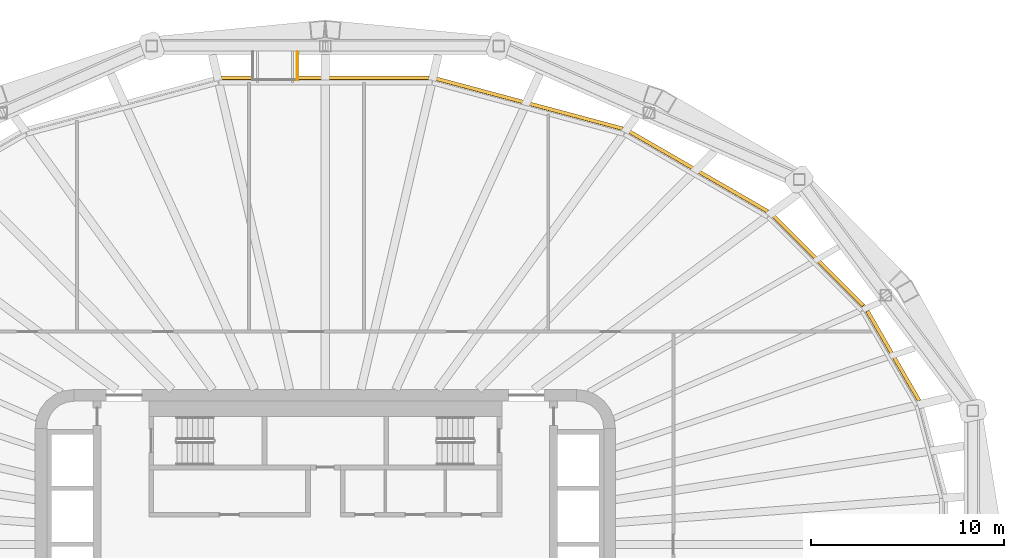
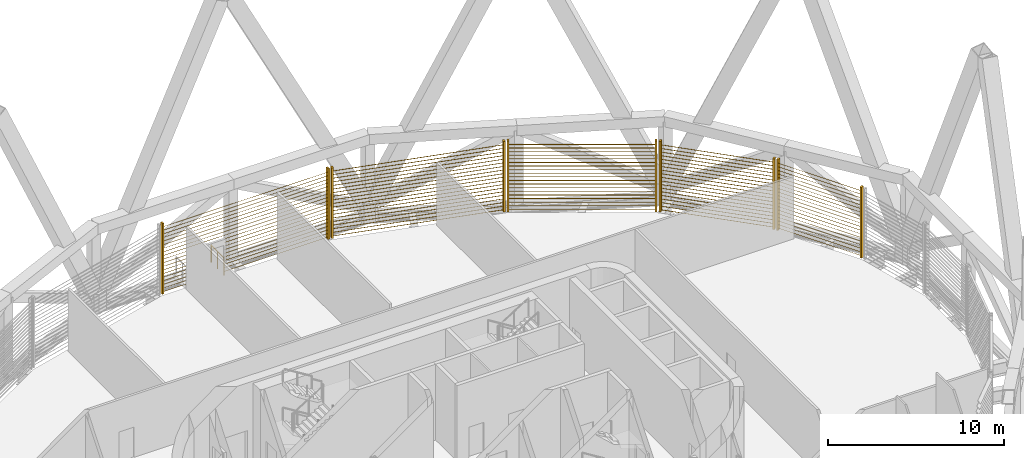
# One storey, part 17 of 18: 5 shading devices, 1 railing.
"""IFC4 building model written with IfcOpenShell, lengths in metres."""

from ifc_helpers import new_model, si_unit, direction, frame, origin, origin_2d, place, context, subcontext, project, spatial, rectangle, circle, extrude, material, type_object, element, save


model = new_model("IFC4")

# Units and contexts
model_context = context("Model", 3, precision=1e-05, world=origin(), true_north=direction((0.0, 1.0)))
body_context = subcontext(model_context, "Body", "Model", "MODEL_VIEW")
ifc_project = project(units=[si_unit("LENGTHUNIT", "METRE"), si_unit("AREAUNIT", "SQUARE_METRE"), si_unit("VOLUMEUNIT", "CUBIC_METRE"), si_unit("PLANEANGLEUNIT", "RADIAN"), si_unit("MASSUNIT", "GRAM", prefix="KILO")], contexts=[model_context])

# Site, building, storey
site_placement = place(None, origin())
site = spatial("IfcSite", under=ifc_project, at=site_placement, CompositionType="ELEMENT")
building_placement = place(site_placement, origin())
building = spatial("IfcBuilding", under=site, at=building_placement, Name="Sahrelin Media Tower", CompositionType="ELEMENT")
storey_placement = place(building_placement, frame((0.0, 0.0, 96.60009765625)))
storey = spatial("IfcBuildingStorey", under=building, at=storey_placement, Name="L18", CompositionType="ELEMENT", Elevation=96.60009765625)

# Railing
ifc_material_1 = material(Name="Stainless steel 316", Category="steel")
railing_type = type_object("IfcRailingType", Name="Maintenance platform guard", PredefinedType="GUARDRAIL", material=ifc_material_1)
railing_placement = place(storey_placement, frame((-1.449951171875, 24.01611328125, 0.0)))
element("IfcRailing", 1, at=railing_placement, inside=storey, type_object=railing_type, Name="Maintenance platform guard L18-06-A", PredefinedType="GUARDRAIL", context=body_context, shape_type="SweptSolid", body=[
    extrude(circle(Radius=0.02392578125, at=origin_2d()), frame((0.0, 0.0, 1.17578125), z_axis=(0.0, 1.0, 0.0), x_axis=(-1.0, 0.0, 0.0)), (0.0, 0.0, 1.0), 1.445068359375),
    extrude(circle(Radius=0.02099609375, at=origin_2d()), origin(), (0.0, 0.0, 1.0), 1.15185546875),
    extrude(circle(Radius=0.02099609375, at=origin_2d()), frame((0.0, 0.72265625, 0.0)), (0.0, 0.0, 1.0), 1.15185546875),
    extrude(circle(Radius=0.02099609375, at=origin_2d()), frame((0.0, 1.445068359375, 0.0)), (0.0, 0.0, 1.0), 1.15185546875),
])

# Shading devices
ifc_material_2 = material(Name="Champagne anodised aluminium 6063-T6", Category="aluminium")
shading_device_type = type_object("IfcShadingDeviceType", Name="Sand-rejection louvre band", PredefinedType="USERDEFINED", material=ifc_material_2)
shading_device_1_placement = place(storey_placement, frame((29.27783203125, 9.686279296875, 0.0), z_axis=(0.0, 0.0, 1.0), x_axis=(0.500011000363, -0.866019052629, 0.0)))
element("IfcShadingDevice", 2, at=shading_device_1_placement, inside=storey, type_object=shading_device_type, Name="L18:LOUVRE:L18-02", ObjectType="LOUVRE", PredefinedType="USERDEFINED", context=body_context, shape_type="SweptSolid", body=[
    extrude(rectangle(XDim=0.1201171875, YDim=0.199951171875, at=origin_2d()), frame((2.7353515625, 0.10009765625, 0.050048828125), z_axis=(0.0, 0.0, 1.0), x_axis=(1.0, 0.0, 0.0)), (0.0, 0.0, 1.0), 4.8984375),
    extrude(rectangle(XDim=0.1201171875, YDim=0.199951171875, at=origin_2d()), frame((-2.7353515625, 0.10009765625, 0.050048828125), z_axis=(0.0, 0.0, 1.0), x_axis=(1.0, 0.0, 0.0)), (0.0, 0.0, 1.0), 4.8984375),
    extrude(rectangle(XDim=0.25, YDim=0.02001953125, at=origin_2d()), frame((2.67529296875, 0.10009765625, 0.14990234375), z_axis=(-1.0, 0.0, 0.0), x_axis=(0.0, -0.766044443119, 0.642787609687)), (0.0, 0.0, 1.0), 5.3505859375),
    extrude(rectangle(XDim=0.25, YDim=0.02001953125, at=origin_2d()), frame((2.67529296875, 0.10009765625, 0.39990234375), z_axis=(-1.0, 0.0, 0.0), x_axis=(0.0, -0.766044443119, 0.642787609687)), (0.0, 0.0, 1.0), 5.3505859375),
    extrude(rectangle(XDim=0.25, YDim=0.02001953125, at=origin_2d()), frame((2.67529296875, 0.10009765625, 0.64990234375), z_axis=(-1.0, 0.0, 0.0), x_axis=(0.0, -0.766044443119, 0.642787609687)), (0.0, 0.0, 1.0), 5.3505859375),
    extrude(rectangle(XDim=0.25, YDim=0.02001953125, at=origin_2d()), frame((2.67529296875, 0.10009765625, 0.89990234375), z_axis=(-1.0, 0.0, 0.0), x_axis=(0.0, -0.766044443119, 0.642787609687)), (0.0, 0.0, 1.0), 5.3505859375),
    extrude(rectangle(XDim=0.25, YDim=0.02001953125, at=origin_2d()), frame((2.67529296875, 0.10009765625, 1.14990234375), z_axis=(-1.0, 0.0, 0.0), x_axis=(0.0, -0.766044443119, 0.642787609687)), (0.0, 0.0, 1.0), 5.3505859375),
    extrude(rectangle(XDim=0.25, YDim=0.02001953125, at=origin_2d()), frame((2.67529296875, 0.10009765625, 1.39990234375), z_axis=(-1.0, 0.0, 0.0), x_axis=(0.0, -0.766044443119, 0.642787609687)), (0.0, 0.0, 1.0), 5.3505859375),
    extrude(rectangle(XDim=0.25, YDim=0.02001953125, at=origin_2d()), frame((2.67529296875, 0.10009765625, 1.64990234375), z_axis=(-1.0, 0.0, 0.0), x_axis=(0.0, -0.766044443119, 0.642787609687)), (0.0, 0.0, 1.0), 5.3505859375),
    extrude(rectangle(XDim=0.25, YDim=0.02001953125, at=origin_2d()), frame((2.67529296875, 0.10009765625, 1.89990234375), z_axis=(-1.0, 0.0, 0.0), x_axis=(0.0, -0.766044443119, 0.642787609687)), (0.0, 0.0, 1.0), 5.3505859375),
    extrude(rectangle(XDim=0.25, YDim=0.02001953125, at=origin_2d()), frame((2.67529296875, 0.10009765625, 2.14990234375), z_axis=(-1.0, 0.0, 0.0), x_axis=(0.0, -0.766044443119, 0.642787609687)), (0.0, 0.0, 1.0), 5.3505859375),
    extrude(rectangle(XDim=0.25, YDim=0.02001953125, at=origin_2d()), frame((2.67529296875, 0.10009765625, 2.39990234375), z_axis=(-1.0, 0.0, 0.0), x_axis=(0.0, -0.766044443119, 0.642787609687)), (0.0, 0.0, 1.0), 5.3505859375),
    extrude(rectangle(XDim=0.25, YDim=0.02001953125, at=origin_2d()), frame((2.67529296875, 0.10009765625, 2.64990234375), z_axis=(-1.0, 0.0, 0.0), x_axis=(0.0, -0.766044443119, 0.642787609687)), (0.0, 0.0, 1.0), 5.3505859375),
    extrude(rectangle(XDim=0.25, YDim=0.02001953125, at=origin_2d()), frame((2.67529296875, 0.10009765625, 2.89990234375), z_axis=(-1.0, 0.0, 0.0), x_axis=(0.0, -0.766044443119, 0.642787609687)), (0.0, 0.0, 1.0), 5.3505859375),
    extrude(rectangle(XDim=0.25, YDim=0.02001953125, at=origin_2d()), frame((2.67529296875, 0.10009765625, 3.14990234375), z_axis=(-1.0, 0.0, 0.0), x_axis=(0.0, -0.766044443119, 0.642787609687)), (0.0, 0.0, 1.0), 5.3505859375),
    extrude(rectangle(XDim=0.25, YDim=0.02001953125, at=origin_2d()), frame((2.67529296875, 0.10009765625, 3.39990234375), z_axis=(-1.0, 0.0, 0.0), x_axis=(0.0, -0.766044443119, 0.642787609687)), (0.0, 0.0, 1.0), 5.3505859375),
    extrude(rectangle(XDim=0.25, YDim=0.02001953125, at=origin_2d()), frame((2.67529296875, 0.10009765625, 3.64990234375), z_axis=(-1.0, 0.0, 0.0), x_axis=(0.0, -0.766044443119, 0.642787609687)), (0.0, 0.0, 1.0), 5.3505859375),
    extrude(rectangle(XDim=0.25, YDim=0.02001953125, at=origin_2d()), frame((2.67529296875, 0.10009765625, 3.89990234375), z_axis=(-1.0, 0.0, 0.0), x_axis=(0.0, -0.766044443119, 0.642787609687)), (0.0, 0.0, 1.0), 5.3505859375),
    extrude(rectangle(XDim=0.25, YDim=0.02001953125, at=origin_2d()), frame((2.67529296875, 0.10009765625, 4.14990234375), z_axis=(-1.0, 0.0, 0.0), x_axis=(0.0, -0.766044443119, 0.642787609687)), (0.0, 0.0, 1.0), 5.3505859375),
    extrude(rectangle(XDim=0.25, YDim=0.02001953125, at=origin_2d()), frame((2.67529296875, 0.10009765625, 4.39990234375), z_axis=(-1.0, 0.0, 0.0), x_axis=(0.0, -0.766044443119, 0.642787609687)), (0.0, 0.0, 1.0), 5.3505859375),
    extrude(rectangle(XDim=0.25, YDim=0.02001953125, at=origin_2d()), frame((2.67529296875, 0.10009765625, 4.64990234375), z_axis=(-1.0, 0.0, 0.0), x_axis=(0.0, -0.766044443119, 0.642787609687)), (0.0, 0.0, 1.0), 5.3505859375),
])
shading_device_2_placement = place(storey_placement, frame((25.411376953125, 14.594482421875, 0.0), z_axis=(0.0, 0.0, 1.0), x_axis=(0.707106781187, -0.707106781187, 0.0)))
element("IfcShadingDevice", 3, at=shading_device_2_placement, inside=storey, type_object=shading_device_type, Name="L18:LOUVRE:L18-03", ObjectType="LOUVRE", PredefinedType="USERDEFINED", context=body_context, shape_type="SweptSolid", body=[
    extrude(rectangle(XDim=0.1201171875, YDim=0.199951171875, at=origin_2d()), frame((3.34619140625, 0.10009765625, 0.050048828125), z_axis=(0.0, 0.0, 1.0), x_axis=(1.0, 0.0, 0.0)), (0.0, 0.0, 1.0), 4.8984375),
    extrude(rectangle(XDim=0.1201171875, YDim=0.199951171875, at=origin_2d()), frame((-3.34619140625, 0.10009765625, 0.050048828125), z_axis=(0.0, 0.0, 1.0), x_axis=(1.0, 0.0, 0.0)), (0.0, 0.0, 1.0), 4.8984375),
    extrude(rectangle(XDim=0.25, YDim=0.02001953125, at=origin_2d()), frame((3.286376953125, 0.10009765625, 0.14990234375), z_axis=(-1.0, 0.0, 0.0), x_axis=(0.0, -0.766044443119, 0.642787609687)), (0.0, 0.0, 1.0), 6.57275390625),
    extrude(rectangle(XDim=0.25, YDim=0.02001953125, at=origin_2d()), frame((3.286376953125, 0.10009765625, 0.39990234375), z_axis=(-1.0, 0.0, 0.0), x_axis=(0.0, -0.766044443119, 0.642787609687)), (0.0, 0.0, 1.0), 6.57275390625),
    extrude(rectangle(XDim=0.25, YDim=0.02001953125, at=origin_2d()), frame((3.286376953125, 0.10009765625, 0.64990234375), z_axis=(-1.0, 0.0, 0.0), x_axis=(0.0, -0.766044443119, 0.642787609687)), (0.0, 0.0, 1.0), 6.57275390625),
    extrude(rectangle(XDim=0.25, YDim=0.02001953125, at=origin_2d()), frame((3.286376953125, 0.10009765625, 0.89990234375), z_axis=(-1.0, 0.0, 0.0), x_axis=(0.0, -0.766044443119, 0.642787609687)), (0.0, 0.0, 1.0), 6.57275390625),
    extrude(rectangle(XDim=0.25, YDim=0.02001953125, at=origin_2d()), frame((3.286376953125, 0.10009765625, 1.14990234375), z_axis=(-1.0, 0.0, 0.0), x_axis=(0.0, -0.766044443119, 0.642787609687)), (0.0, 0.0, 1.0), 6.57275390625),
    extrude(rectangle(XDim=0.25, YDim=0.02001953125, at=origin_2d()), frame((3.286376953125, 0.10009765625, 1.39990234375), z_axis=(-1.0, 0.0, 0.0), x_axis=(0.0, -0.766044443119, 0.642787609687)), (0.0, 0.0, 1.0), 6.57275390625),
    extrude(rectangle(XDim=0.25, YDim=0.02001953125, at=origin_2d()), frame((3.286376953125, 0.10009765625, 1.64990234375), z_axis=(-1.0, 0.0, 0.0), x_axis=(0.0, -0.766044443119, 0.642787609687)), (0.0, 0.0, 1.0), 6.57275390625),
    extrude(rectangle(XDim=0.25, YDim=0.02001953125, at=origin_2d()), frame((3.286376953125, 0.10009765625, 1.89990234375), z_axis=(-1.0, 0.0, 0.0), x_axis=(0.0, -0.766044443119, 0.642787609687)), (0.0, 0.0, 1.0), 6.57275390625),
    extrude(rectangle(XDim=0.25, YDim=0.02001953125, at=origin_2d()), frame((3.286376953125, 0.10009765625, 2.14990234375), z_axis=(-1.0, 0.0, 0.0), x_axis=(0.0, -0.766044443119, 0.642787609687)), (0.0, 0.0, 1.0), 6.57275390625),
    extrude(rectangle(XDim=0.25, YDim=0.02001953125, at=origin_2d()), frame((3.286376953125, 0.10009765625, 2.39990234375), z_axis=(-1.0, 0.0, 0.0), x_axis=(0.0, -0.766044443119, 0.642787609687)), (0.0, 0.0, 1.0), 6.57275390625),
    extrude(rectangle(XDim=0.25, YDim=0.02001953125, at=origin_2d()), frame((3.286376953125, 0.10009765625, 2.64990234375), z_axis=(-1.0, 0.0, 0.0), x_axis=(0.0, -0.766044443119, 0.642787609687)), (0.0, 0.0, 1.0), 6.57275390625),
    extrude(rectangle(XDim=0.25, YDim=0.02001953125, at=origin_2d()), frame((3.286376953125, 0.10009765625, 2.89990234375), z_axis=(-1.0, 0.0, 0.0), x_axis=(0.0, -0.766044443119, 0.642787609687)), (0.0, 0.0, 1.0), 6.57275390625),
    extrude(rectangle(XDim=0.25, YDim=0.02001953125, at=origin_2d()), frame((3.286376953125, 0.10009765625, 3.14990234375), z_axis=(-1.0, 0.0, 0.0), x_axis=(0.0, -0.766044443119, 0.642787609687)), (0.0, 0.0, 1.0), 6.57275390625),
    extrude(rectangle(XDim=0.25, YDim=0.02001953125, at=origin_2d()), frame((3.286376953125, 0.10009765625, 3.39990234375), z_axis=(-1.0, 0.0, 0.0), x_axis=(0.0, -0.766044443119, 0.642787609687)), (0.0, 0.0, 1.0), 6.57275390625),
    extrude(rectangle(XDim=0.25, YDim=0.02001953125, at=origin_2d()), frame((3.286376953125, 0.10009765625, 3.64990234375), z_axis=(-1.0, 0.0, 0.0), x_axis=(0.0, -0.766044443119, 0.642787609687)), (0.0, 0.0, 1.0), 6.57275390625),
    extrude(rectangle(XDim=0.25, YDim=0.02001953125, at=origin_2d()), frame((3.286376953125, 0.10009765625, 3.89990234375), z_axis=(-1.0, 0.0, 0.0), x_axis=(0.0, -0.766044443119, 0.642787609687)), (0.0, 0.0, 1.0), 6.57275390625),
    extrude(rectangle(XDim=0.25, YDim=0.02001953125, at=origin_2d()), frame((3.286376953125, 0.10009765625, 4.14990234375), z_axis=(-1.0, 0.0, 0.0), x_axis=(0.0, -0.766044443119, 0.642787609687)), (0.0, 0.0, 1.0), 6.57275390625),
    extrude(rectangle(XDim=0.25, YDim=0.02001953125, at=origin_2d()), frame((3.286376953125, 0.10009765625, 4.39990234375), z_axis=(-1.0, 0.0, 0.0), x_axis=(0.0, -0.766044443119, 0.642787609687)), (0.0, 0.0, 1.0), 6.57275390625),
    extrude(rectangle(XDim=0.25, YDim=0.02001953125, at=origin_2d()), frame((3.286376953125, 0.10009765625, 4.64990234375), z_axis=(-1.0, 0.0, 0.0), x_axis=(0.0, -0.766044443119, 0.642787609687)), (0.0, 0.0, 1.0), 6.57275390625),
])
shading_device_3_placement = place(storey_placement, frame((19.237548828125, 19.191650390625, 0.0), z_axis=(0.0, 0.0, 1.0), x_axis=(0.866019052629, -0.500011000363, 0.0)))
element("IfcShadingDevice", 4, at=shading_device_3_placement, inside=storey, type_object=shading_device_type, Name="L18:LOUVRE:L18-04", ObjectType="LOUVRE", PredefinedType="USERDEFINED", context=body_context, shape_type="SweptSolid", body=[
    extrude(rectangle(XDim=0.1201171875, YDim=0.199951171875, at=origin_2d()), frame((4.19677734375, 0.10009765625, 0.050048828125), z_axis=(0.0, 0.0, 1.0), x_axis=(1.0, 0.0, 0.0)), (0.0, 0.0, 1.0), 4.8984375),
    extrude(rectangle(XDim=0.1201171875, YDim=0.199951171875, at=origin_2d()), frame((-4.19677734375, 0.10009765625, 0.050048828125), z_axis=(0.0, 0.0, 1.0), x_axis=(1.0, 0.0, 0.0)), (0.0, 0.0, 1.0), 4.8984375),
    extrude(rectangle(XDim=0.25, YDim=0.02001953125, at=origin_2d()), frame((4.13671875, 0.10009765625, 0.14990234375), z_axis=(-1.0, 0.0, 0.0), x_axis=(0.0, -0.766044443119, 0.642787609687)), (0.0, 0.0, 1.0), 8.2734375),
    extrude(rectangle(XDim=0.25, YDim=0.02001953125, at=origin_2d()), frame((4.13671875, 0.10009765625, 0.39990234375), z_axis=(-1.0, 0.0, 0.0), x_axis=(0.0, -0.766044443119, 0.642787609687)), (0.0, 0.0, 1.0), 8.2734375),
    extrude(rectangle(XDim=0.25, YDim=0.02001953125, at=origin_2d()), frame((4.13671875, 0.10009765625, 0.64990234375), z_axis=(-1.0, 0.0, 0.0), x_axis=(0.0, -0.766044443119, 0.642787609687)), (0.0, 0.0, 1.0), 8.2734375),
    extrude(rectangle(XDim=0.25, YDim=0.02001953125, at=origin_2d()), frame((4.13671875, 0.10009765625, 0.89990234375), z_axis=(-1.0, 0.0, 0.0), x_axis=(0.0, -0.766044443119, 0.642787609687)), (0.0, 0.0, 1.0), 8.2734375),
    extrude(rectangle(XDim=0.25, YDim=0.02001953125, at=origin_2d()), frame((4.13671875, 0.10009765625, 1.14990234375), z_axis=(-1.0, 0.0, 0.0), x_axis=(0.0, -0.766044443119, 0.642787609687)), (0.0, 0.0, 1.0), 8.2734375),
    extrude(rectangle(XDim=0.25, YDim=0.02001953125, at=origin_2d()), frame((4.13671875, 0.10009765625, 1.39990234375), z_axis=(-1.0, 0.0, 0.0), x_axis=(0.0, -0.766044443119, 0.642787609687)), (0.0, 0.0, 1.0), 8.2734375),
    extrude(rectangle(XDim=0.25, YDim=0.02001953125, at=origin_2d()), frame((4.13671875, 0.10009765625, 1.64990234375), z_axis=(-1.0, 0.0, 0.0), x_axis=(0.0, -0.766044443119, 0.642787609687)), (0.0, 0.0, 1.0), 8.2734375),
    extrude(rectangle(XDim=0.25, YDim=0.02001953125, at=origin_2d()), frame((4.13671875, 0.10009765625, 1.89990234375), z_axis=(-1.0, 0.0, 0.0), x_axis=(0.0, -0.766044443119, 0.642787609687)), (0.0, 0.0, 1.0), 8.2734375),
    extrude(rectangle(XDim=0.25, YDim=0.02001953125, at=origin_2d()), frame((4.13671875, 0.10009765625, 2.14990234375), z_axis=(-1.0, 0.0, 0.0), x_axis=(0.0, -0.766044443119, 0.642787609687)), (0.0, 0.0, 1.0), 8.2734375),
    extrude(rectangle(XDim=0.25, YDim=0.02001953125, at=origin_2d()), frame((4.13671875, 0.10009765625, 2.39990234375), z_axis=(-1.0, 0.0, 0.0), x_axis=(0.0, -0.766044443119, 0.642787609687)), (0.0, 0.0, 1.0), 8.2734375),
    extrude(rectangle(XDim=0.25, YDim=0.02001953125, at=origin_2d()), frame((4.13671875, 0.10009765625, 2.64990234375), z_axis=(-1.0, 0.0, 0.0), x_axis=(0.0, -0.766044443119, 0.642787609687)), (0.0, 0.0, 1.0), 8.2734375),
    extrude(rectangle(XDim=0.25, YDim=0.02001953125, at=origin_2d()), frame((4.13671875, 0.10009765625, 2.89990234375), z_axis=(-1.0, 0.0, 0.0), x_axis=(0.0, -0.766044443119, 0.642787609687)), (0.0, 0.0, 1.0), 8.2734375),
    extrude(rectangle(XDim=0.25, YDim=0.02001953125, at=origin_2d()), frame((4.13671875, 0.10009765625, 3.14990234375), z_axis=(-1.0, 0.0, 0.0), x_axis=(0.0, -0.766044443119, 0.642787609687)), (0.0, 0.0, 1.0), 8.2734375),
    extrude(rectangle(XDim=0.25, YDim=0.02001953125, at=origin_2d()), frame((4.13671875, 0.10009765625, 3.39990234375), z_axis=(-1.0, 0.0, 0.0), x_axis=(0.0, -0.766044443119, 0.642787609687)), (0.0, 0.0, 1.0), 8.2734375),
    extrude(rectangle(XDim=0.25, YDim=0.02001953125, at=origin_2d()), frame((4.13671875, 0.10009765625, 3.64990234375), z_axis=(-1.0, 0.0, 0.0), x_axis=(0.0, -0.766044443119, 0.642787609687)), (0.0, 0.0, 1.0), 8.2734375),
    extrude(rectangle(XDim=0.25, YDim=0.02001953125, at=origin_2d()), frame((4.13671875, 0.10009765625, 3.89990234375), z_axis=(-1.0, 0.0, 0.0), x_axis=(0.0, -0.766044443119, 0.642787609687)), (0.0, 0.0, 1.0), 8.2734375),
    extrude(rectangle(XDim=0.25, YDim=0.02001953125, at=origin_2d()), frame((4.13671875, 0.10009765625, 4.14990234375), z_axis=(-1.0, 0.0, 0.0), x_axis=(0.0, -0.766044443119, 0.642787609687)), (0.0, 0.0, 1.0), 8.2734375),
    extrude(rectangle(XDim=0.25, YDim=0.02001953125, at=origin_2d()), frame((4.13671875, 0.10009765625, 4.39990234375), z_axis=(-1.0, 0.0, 0.0), x_axis=(0.0, -0.766044443119, 0.642787609687)), (0.0, 0.0, 1.0), 8.2734375),
    extrude(rectangle(XDim=0.25, YDim=0.02001953125, at=origin_2d()), frame((4.13671875, 0.10009765625, 4.64990234375), z_axis=(-1.0, 0.0, 0.0), x_axis=(0.0, -0.766044443119, 0.642787609687)), (0.0, 0.0, 1.0), 8.2734375),
])
shading_device_4_placement = place(storey_placement, frame((10.523681640625, 22.6806640625, 0.0), z_axis=(0.0, 0.0, 1.0), x_axis=(0.965928857556, -0.258807731996, 0.0)))
element("IfcShadingDevice", 5, at=shading_device_4_placement, inside=storey, type_object=shading_device_type, Name="L18:LOUVRE:L18-05", ObjectType="LOUVRE", PredefinedType="USERDEFINED", context=body_context, shape_type="SweptSolid", body=[
    extrude(rectangle(XDim=0.1201171875, YDim=0.199951171875, at=origin_2d()), frame((5.050048828125, 0.10009765625, 0.050048828125), z_axis=(0.0, 0.0, 1.0), x_axis=(1.0, 0.0, 0.0)), (0.0, 0.0, 1.0), 4.8984375),
    extrude(rectangle(XDim=0.1201171875, YDim=0.199951171875, at=origin_2d()), frame((-5.050048828125, 0.10009765625, 0.050048828125), z_axis=(0.0, 0.0, 1.0), x_axis=(1.0, 0.0, 0.0)), (0.0, 0.0, 1.0), 4.8984375),
    extrude(rectangle(XDim=0.25, YDim=0.02001953125, at=origin_2d()), frame((4.989990234375, 0.10009765625, 0.14990234375), z_axis=(-1.0, 0.0, 0.0), x_axis=(0.0, -0.766044443119, 0.642787609687)), (0.0, 0.0, 1.0), 9.97998046875),
    extrude(rectangle(XDim=0.25, YDim=0.02001953125, at=origin_2d()), frame((4.989990234375, 0.10009765625, 0.39990234375), z_axis=(-1.0, 0.0, 0.0), x_axis=(0.0, -0.766044443119, 0.642787609687)), (0.0, 0.0, 1.0), 9.97998046875),
    extrude(rectangle(XDim=0.25, YDim=0.02001953125, at=origin_2d()), frame((4.989990234375, 0.10009765625, 0.64990234375), z_axis=(-1.0, 0.0, 0.0), x_axis=(0.0, -0.766044443119, 0.642787609687)), (0.0, 0.0, 1.0), 9.97998046875),
    extrude(rectangle(XDim=0.25, YDim=0.02001953125, at=origin_2d()), frame((4.989990234375, 0.10009765625, 0.89990234375), z_axis=(-1.0, 0.0, 0.0), x_axis=(0.0, -0.766044443119, 0.642787609687)), (0.0, 0.0, 1.0), 9.97998046875),
    extrude(rectangle(XDim=0.25, YDim=0.02001953125, at=origin_2d()), frame((4.989990234375, 0.10009765625, 1.14990234375), z_axis=(-1.0, 0.0, 0.0), x_axis=(0.0, -0.766044443119, 0.642787609687)), (0.0, 0.0, 1.0), 9.97998046875),
    extrude(rectangle(XDim=0.25, YDim=0.02001953125, at=origin_2d()), frame((4.989990234375, 0.10009765625, 1.39990234375), z_axis=(-1.0, 0.0, 0.0), x_axis=(0.0, -0.766044443119, 0.642787609687)), (0.0, 0.0, 1.0), 9.97998046875),
    extrude(rectangle(XDim=0.25, YDim=0.02001953125, at=origin_2d()), frame((4.989990234375, 0.10009765625, 1.64990234375), z_axis=(-1.0, 0.0, 0.0), x_axis=(0.0, -0.766044443119, 0.642787609687)), (0.0, 0.0, 1.0), 9.97998046875),
    extrude(rectangle(XDim=0.25, YDim=0.02001953125, at=origin_2d()), frame((4.989990234375, 0.10009765625, 1.89990234375), z_axis=(-1.0, 0.0, 0.0), x_axis=(0.0, -0.766044443119, 0.642787609687)), (0.0, 0.0, 1.0), 9.97998046875),
    extrude(rectangle(XDim=0.25, YDim=0.02001953125, at=origin_2d()), frame((4.989990234375, 0.10009765625, 2.14990234375), z_axis=(-1.0, 0.0, 0.0), x_axis=(0.0, -0.766044443119, 0.642787609687)), (0.0, 0.0, 1.0), 9.97998046875),
    extrude(rectangle(XDim=0.25, YDim=0.02001953125, at=origin_2d()), frame((4.989990234375, 0.10009765625, 2.39990234375), z_axis=(-1.0, 0.0, 0.0), x_axis=(0.0, -0.766044443119, 0.642787609687)), (0.0, 0.0, 1.0), 9.97998046875),
    extrude(rectangle(XDim=0.25, YDim=0.02001953125, at=origin_2d()), frame((4.989990234375, 0.10009765625, 2.64990234375), z_axis=(-1.0, 0.0, 0.0), x_axis=(0.0, -0.766044443119, 0.642787609687)), (0.0, 0.0, 1.0), 9.97998046875),
    extrude(rectangle(XDim=0.25, YDim=0.02001953125, at=origin_2d()), frame((4.989990234375, 0.10009765625, 2.89990234375), z_axis=(-1.0, 0.0, 0.0), x_axis=(0.0, -0.766044443119, 0.642787609687)), (0.0, 0.0, 1.0), 9.97998046875),
    extrude(rectangle(XDim=0.25, YDim=0.02001953125, at=origin_2d()), frame((4.989990234375, 0.10009765625, 3.14990234375), z_axis=(-1.0, 0.0, 0.0), x_axis=(0.0, -0.766044443119, 0.642787609687)), (0.0, 0.0, 1.0), 9.97998046875),
    extrude(rectangle(XDim=0.25, YDim=0.02001953125, at=origin_2d()), frame((4.989990234375, 0.10009765625, 3.39990234375), z_axis=(-1.0, 0.0, 0.0), x_axis=(0.0, -0.766044443119, 0.642787609687)), (0.0, 0.0, 1.0), 9.97998046875),
    extrude(rectangle(XDim=0.25, YDim=0.02001953125, at=origin_2d()), frame((4.989990234375, 0.10009765625, 3.64990234375), z_axis=(-1.0, 0.0, 0.0), x_axis=(0.0, -0.766044443119, 0.642787609687)), (0.0, 0.0, 1.0), 9.97998046875),
    extrude(rectangle(XDim=0.25, YDim=0.02001953125, at=origin_2d()), frame((4.989990234375, 0.10009765625, 3.89990234375), z_axis=(-1.0, 0.0, 0.0), x_axis=(0.0, -0.766044443119, 0.642787609687)), (0.0, 0.0, 1.0), 9.97998046875),
    extrude(rectangle(XDim=0.25, YDim=0.02001953125, at=origin_2d()), frame((4.989990234375, 0.10009765625, 4.14990234375), z_axis=(-1.0, 0.0, 0.0), x_axis=(0.0, -0.766044443119, 0.642787609687)), (0.0, 0.0, 1.0), 9.97998046875),
    extrude(rectangle(XDim=0.25, YDim=0.02001953125, at=origin_2d()), frame((4.989990234375, 0.10009765625, 4.39990234375), z_axis=(-1.0, 0.0, 0.0), x_axis=(0.0, -0.766044443119, 0.642787609687)), (0.0, 0.0, 1.0), 9.97998046875),
    extrude(rectangle(XDim=0.25, YDim=0.02001953125, at=origin_2d()), frame((4.989990234375, 0.10009765625, 4.64990234375), z_axis=(-1.0, 0.0, 0.0), x_axis=(0.0, -0.766044443119, 0.642787609687)), (0.0, 0.0, 1.0), 9.97998046875),
])
shading_device_5_placement = place(storey_placement, frame((0.0, 24.01611328125, 0.0), z_axis=(0.0, 0.0, 1.0), x_axis=(1.0, 0.0, 0.0)))
element("IfcShadingDevice", 6, at=shading_device_5_placement, inside=storey, type_object=shading_device_type, Name="L18:LOUVRE:L18-06", ObjectType="LOUVRE", PredefinedType="USERDEFINED", context=body_context, shape_type="SweptSolid", body=[
    extrude(rectangle(XDim=0.1201171875, YDim=0.199951171875, at=origin_2d()), frame((5.429443359375, 0.10009765625, 0.050048828125), z_axis=(0.0, 0.0, 1.0), x_axis=(1.0, 0.0, 0.0)), (0.0, 0.0, 1.0), 4.8984375),
    extrude(rectangle(XDim=0.1201171875, YDim=0.199951171875, at=origin_2d()), frame((-5.429443359375, 0.10009765625, 0.050048828125), z_axis=(0.0, 0.0, 1.0), x_axis=(1.0, 0.0, 0.0)), (0.0, 0.0, 1.0), 4.8984375),
    extrude(rectangle(XDim=0.25, YDim=0.02001953125, at=origin_2d()), frame((5.369384765625, 0.10009765625, 0.14990234375), z_axis=(-1.0, 0.0, 0.0), x_axis=(0.0, -0.766044443119, 0.642787609687)), (0.0, 0.0, 1.0), 6.66943359375),
    extrude(rectangle(XDim=0.25, YDim=0.02001953125, at=origin_2d()), frame((-3.89990234375, 0.10009765625, 0.14990234375), z_axis=(-1.0, 0.0, 0.0), x_axis=(0.0, -0.766044443119, 0.642787609687)), (0.0, 0.0, 1.0), 1.469482421875),
    extrude(rectangle(XDim=0.25, YDim=0.02001953125, at=origin_2d()), frame((5.369384765625, 0.10009765625, 0.39990234375), z_axis=(-1.0, 0.0, 0.0), x_axis=(0.0, -0.766044443119, 0.642787609687)), (0.0, 0.0, 1.0), 6.66943359375),
    extrude(rectangle(XDim=0.25, YDim=0.02001953125, at=origin_2d()), frame((-3.89990234375, 0.10009765625, 0.39990234375), z_axis=(-1.0, 0.0, 0.0), x_axis=(0.0, -0.766044443119, 0.642787609687)), (0.0, 0.0, 1.0), 1.469482421875),
    extrude(rectangle(XDim=0.25, YDim=0.02001953125, at=origin_2d()), frame((5.369384765625, 0.10009765625, 0.64990234375), z_axis=(-1.0, 0.0, 0.0), x_axis=(0.0, -0.766044443119, 0.642787609687)), (0.0, 0.0, 1.0), 6.66943359375),
    extrude(rectangle(XDim=0.25, YDim=0.02001953125, at=origin_2d()), frame((-3.89990234375, 0.10009765625, 0.64990234375), z_axis=(-1.0, 0.0, 0.0), x_axis=(0.0, -0.766044443119, 0.642787609687)), (0.0, 0.0, 1.0), 1.469482421875),
    extrude(rectangle(XDim=0.25, YDim=0.02001953125, at=origin_2d()), frame((5.369384765625, 0.10009765625, 0.89990234375), z_axis=(-1.0, 0.0, 0.0), x_axis=(0.0, -0.766044443119, 0.642787609687)), (0.0, 0.0, 1.0), 6.66943359375),
    extrude(rectangle(XDim=0.25, YDim=0.02001953125, at=origin_2d()), frame((-3.89990234375, 0.10009765625, 0.89990234375), z_axis=(-1.0, 0.0, 0.0), x_axis=(0.0, -0.766044443119, 0.642787609687)), (0.0, 0.0, 1.0), 1.469482421875),
    extrude(rectangle(XDim=0.25, YDim=0.02001953125, at=origin_2d()), frame((5.369384765625, 0.10009765625, 1.14990234375), z_axis=(-1.0, 0.0, 0.0), x_axis=(0.0, -0.766044443119, 0.642787609687)), (0.0, 0.0, 1.0), 6.66943359375),
    extrude(rectangle(XDim=0.25, YDim=0.02001953125, at=origin_2d()), frame((-3.89990234375, 0.10009765625, 1.14990234375), z_axis=(-1.0, 0.0, 0.0), x_axis=(0.0, -0.766044443119, 0.642787609687)), (0.0, 0.0, 1.0), 1.469482421875),
    extrude(rectangle(XDim=0.25, YDim=0.02001953125, at=origin_2d()), frame((5.369384765625, 0.10009765625, 1.39990234375), z_axis=(-1.0, 0.0, 0.0), x_axis=(0.0, -0.766044443119, 0.642787609687)), (0.0, 0.0, 1.0), 6.66943359375),
    extrude(rectangle(XDim=0.25, YDim=0.02001953125, at=origin_2d()), frame((-3.89990234375, 0.10009765625, 1.39990234375), z_axis=(-1.0, 0.0, 0.0), x_axis=(0.0, -0.766044443119, 0.642787609687)), (0.0, 0.0, 1.0), 1.469482421875),
    extrude(rectangle(XDim=0.25, YDim=0.02001953125, at=origin_2d()), frame((5.369384765625, 0.10009765625, 1.64990234375), z_axis=(-1.0, 0.0, 0.0), x_axis=(0.0, -0.766044443119, 0.642787609687)), (0.0, 0.0, 1.0), 6.66943359375),
    extrude(rectangle(XDim=0.25, YDim=0.02001953125, at=origin_2d()), frame((-3.89990234375, 0.10009765625, 1.64990234375), z_axis=(-1.0, 0.0, 0.0), x_axis=(0.0, -0.766044443119, 0.642787609687)), (0.0, 0.0, 1.0), 1.469482421875),
    extrude(rectangle(XDim=0.25, YDim=0.02001953125, at=origin_2d()), frame((5.369384765625, 0.10009765625, 1.89990234375), z_axis=(-1.0, 0.0, 0.0), x_axis=(0.0, -0.766044443119, 0.642787609687)), (0.0, 0.0, 1.0), 6.66943359375),
    extrude(rectangle(XDim=0.25, YDim=0.02001953125, at=origin_2d()), frame((-3.89990234375, 0.10009765625, 1.89990234375), z_axis=(-1.0, 0.0, 0.0), x_axis=(0.0, -0.766044443119, 0.642787609687)), (0.0, 0.0, 1.0), 1.469482421875),
    extrude(rectangle(XDim=0.25, YDim=0.02001953125, at=origin_2d()), frame((5.369384765625, 0.10009765625, 2.14990234375), z_axis=(-1.0, 0.0, 0.0), x_axis=(0.0, -0.766044443119, 0.642787609687)), (0.0, 0.0, 1.0), 6.66943359375),
    extrude(rectangle(XDim=0.25, YDim=0.02001953125, at=origin_2d()), frame((-3.89990234375, 0.10009765625, 2.14990234375), z_axis=(-1.0, 0.0, 0.0), x_axis=(0.0, -0.766044443119, 0.642787609687)), (0.0, 0.0, 1.0), 1.469482421875),
    extrude(rectangle(XDim=0.25, YDim=0.02001953125, at=origin_2d()), frame((5.369384765625, 0.10009765625, 2.39990234375), z_axis=(-1.0, 0.0, 0.0), x_axis=(0.0, -0.766044443119, 0.642787609687)), (0.0, 0.0, 1.0), 6.66943359375),
    extrude(rectangle(XDim=0.25, YDim=0.02001953125, at=origin_2d()), frame((-3.89990234375, 0.10009765625, 2.39990234375), z_axis=(-1.0, 0.0, 0.0), x_axis=(0.0, -0.766044443119, 0.642787609687)), (0.0, 0.0, 1.0), 1.469482421875),
    extrude(rectangle(XDim=0.25, YDim=0.02001953125, at=origin_2d()), frame((5.369384765625, 0.10009765625, 2.64990234375), z_axis=(-1.0, 0.0, 0.0), x_axis=(0.0, -0.766044443119, 0.642787609687)), (0.0, 0.0, 1.0), 10.73876953125),
    extrude(rectangle(XDim=0.25, YDim=0.02001953125, at=origin_2d()), frame((5.369384765625, 0.10009765625, 2.89990234375), z_axis=(-1.0, 0.0, 0.0), x_axis=(0.0, -0.766044443119, 0.642787609687)), (0.0, 0.0, 1.0), 10.73876953125),
    extrude(rectangle(XDim=0.25, YDim=0.02001953125, at=origin_2d()), frame((5.369384765625, 0.10009765625, 3.14990234375), z_axis=(-1.0, 0.0, 0.0), x_axis=(0.0, -0.766044443119, 0.642787609687)), (0.0, 0.0, 1.0), 10.73876953125),
    extrude(rectangle(XDim=0.25, YDim=0.02001953125, at=origin_2d()), frame((5.369384765625, 0.10009765625, 3.39990234375), z_axis=(-1.0, 0.0, 0.0), x_axis=(0.0, -0.766044443119, 0.642787609687)), (0.0, 0.0, 1.0), 10.73876953125),
    extrude(rectangle(XDim=0.25, YDim=0.02001953125, at=origin_2d()), frame((5.369384765625, 0.10009765625, 3.64990234375), z_axis=(-1.0, 0.0, 0.0), x_axis=(0.0, -0.766044443119, 0.642787609687)), (0.0, 0.0, 1.0), 10.73876953125),
    extrude(rectangle(XDim=0.25, YDim=0.02001953125, at=origin_2d()), frame((5.369384765625, 0.10009765625, 3.89990234375), z_axis=(-1.0, 0.0, 0.0), x_axis=(0.0, -0.766044443119, 0.642787609687)), (0.0, 0.0, 1.0), 10.73876953125),
    extrude(rectangle(XDim=0.25, YDim=0.02001953125, at=origin_2d()), frame((5.369384765625, 0.10009765625, 4.14990234375), z_axis=(-1.0, 0.0, 0.0), x_axis=(0.0, -0.766044443119, 0.642787609687)), (0.0, 0.0, 1.0), 10.73876953125),
    extrude(rectangle(XDim=0.25, YDim=0.02001953125, at=origin_2d()), frame((5.369384765625, 0.10009765625, 4.39990234375), z_axis=(-1.0, 0.0, 0.0), x_axis=(0.0, -0.766044443119, 0.642787609687)), (0.0, 0.0, 1.0), 10.73876953125),
    extrude(rectangle(XDim=0.25, YDim=0.02001953125, at=origin_2d()), frame((5.369384765625, 0.10009765625, 4.64990234375), z_axis=(-1.0, 0.0, 0.0), x_axis=(0.0, -0.766044443119, 0.642787609687)), (0.0, 0.0, 1.0), 10.73876953125),
])

save(model, "model.ifc")
